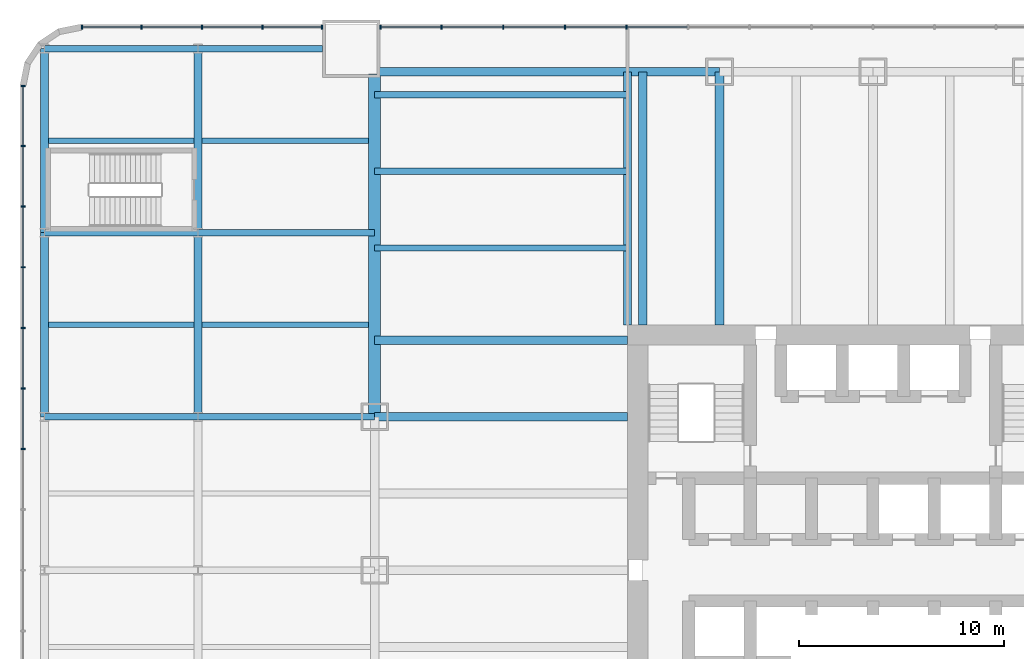
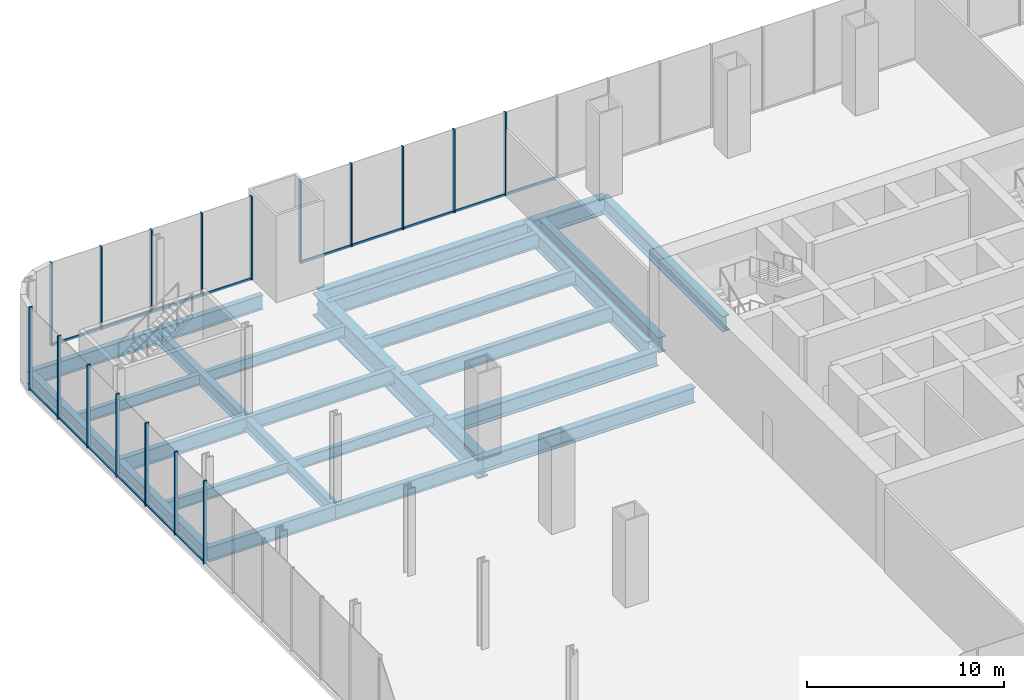
# One storey, part 6 of 16: 32 members, 24 beams, 3 elements without a shape of their own.
"""IFC4 building model written with IfcOpenShell, lengths in metres."""

from ifc_helpers import new_model, si_unit, direction, frame, origin, origin_2d, place, context, subcontext, project, spatial, rectangle, i_section, extrude, material, material_profile, profile_set, type_object, element, aggregate, save


model = new_model("IFC4")

# Units and contexts
model_context = context("Model", 3, precision=1e-05, world=origin(), true_north=direction((0.0, 1.0)))
body_context = subcontext(model_context, "Body", "Model", "MODEL_VIEW")
ifc_project = project(units=[si_unit("LENGTHUNIT", "METRE"), si_unit("AREAUNIT", "SQUARE_METRE"), si_unit("VOLUMEUNIT", "CUBIC_METRE"), si_unit("PLANEANGLEUNIT", "RADIAN"), si_unit("MASSUNIT", "GRAM", prefix="KILO")], contexts=[model_context])

# Site, building, storey
site_placement = place(None, origin())
site = spatial("IfcSite", under=ifc_project, at=site_placement, CompositionType="ELEMENT")
building_placement = place(site_placement, origin())
building = spatial("IfcBuilding", under=site, at=building_placement, Name="Tarangal Relay Tower", CompositionType="ELEMENT")
storey_placement = place(building_placement, frame((0.0, 0.0, 12.60009765625)))
storey = spatial("IfcBuildingStorey", under=building, at=storey_placement, Name="L02", CompositionType="ELEMENT", Elevation=12.60009765625)

# Beams
ifc_material_1 = material(Name="Steel ASTM A992", Category="steel")
ifc_material_profile_1 = material_profile(ifc_material_1, i_section(OverallWidth=0.307373046875, OverallDepth=0.927001953125, WebThickness=0.019287109375, FlangeThickness=0.031982421875, at=origin_2d()), Name="W36X194")
ifc_profile_set_1 = profile_set([ifc_material_profile_1], Name="Steel ASTM A992")
beam_type_1 = type_object("IfcBeamType", Name="Corner beam W36X194", PredefinedType="JOIST", material=ifc_profile_set_1)
for number, where, z_axis, x_axis, name in (
    (1, (-12.0, 15.75, -0.713623046875), (-1.0, 0.0, 0.0), (0.0, -1.0, 0.0), "Corner beam CB10 W L02"),
    (2, (-12.0, 19.5, -0.713623046875), (-1.0, 0.0, 0.0), (0.0, -1.0, 0.0), "Corner beam CB10 W L02"),
    (3, (-12.0, 23.25, -0.713623046875), (-1.0, 0.0, 0.0), (0.0, -1.0, 0.0), "Corner beam CB10 W L02"),
):
    element("IfcBeam", number, at=place(storey_placement, frame(where, z_axis=z_axis, x_axis=x_axis)), inside=storey, type_object=beam_type_1, Name=name, PredefinedType="JOIST", context=body_context, shape_type="SweptSolid", body=[
        extrude(i_section(OverallWidth=0.307373046875, OverallDepth=0.927001953125, WebThickness=0.019287109375, FlangeThickness=0.031982421875, at=origin_2d()), origin(), (0.0, 0.0, 1.0), 12.364990234375),
    ])
ifc_material_profile_2 = material_profile(ifc_material_1, i_section(OverallWidth=0.408935546875, OverallDepth=1.04150390625, WebThickness=0.031005859375, FlangeThickness=0.055908203125, at=origin_2d()), Name="W40X397")
ifc_profile_set_2 = profile_set([ifc_material_profile_2], Name="Steel ASTM A992")
beam_type_2 = type_object("IfcBeamType", Name="Corner girder W40X397", PredefinedType="BEAM", material=ifc_profile_set_2)
beam_1_placement = place(storey_placement, frame((-12.0, 12.0, -0.770751953125), z_axis=(0.0, 1.0, 0.0), x_axis=(-1.0, 0.0, 0.0)))
element("IfcBeam", 4, at=beam_1_placement, inside=storey, type_object=beam_type_2, Name="Corner girder CG1 W L02", PredefinedType="BEAM", context=body_context, shape_type="SweptSolid", body=[
    extrude(i_section(OverallWidth=0.408935546875, OverallDepth=1.04150390625, WebThickness=0.031005859375, FlangeThickness=0.055908203125, at=origin_2d()), origin(), (0.0, 0.0, 1.0), 12.364990234375),
])
ifc_material_profile_3 = material_profile(ifc_material_1, i_section(OverallWidth=0.41650390625, OverallDepth=1.0693359375, WebThickness=0.0390625, FlangeThickness=0.070068359375, at=origin_2d()), Name="W40X503")
ifc_profile_set_3 = profile_set([ifc_material_profile_3], Name="Steel ASTM A992")
beam_type_3 = type_object("IfcBeamType", Name="Edge girder W40X503", PredefinedType="SPANDREL", material=ifc_profile_set_3)
beam_2_placement = place(storey_placement, frame((-24.25, 24.364990234375, -0.78466796875), z_axis=(1.0, 0.0, 0.0), x_axis=(0.0, 1.0, 0.0)))
element("IfcBeam", 5, at=beam_2_placement, inside=storey, type_object=beam_type_3, Name="Edge girder EG8 N L02", PredefinedType="SPANDREL", context=body_context, shape_type="SweptSolid", body=[
    extrude(i_section(OverallWidth=0.41650390625, OverallDepth=1.0693359375, WebThickness=0.0390625, FlangeThickness=0.070068359375, at=origin_2d()), origin(), (0.0, 0.0, 1.0), 16.75),
])
ifc_material_profile_4 = material_profile(ifc_material_1, i_section(OverallWidth=0.42431640625, OverallDepth=0.947509765625, WebThickness=0.02392578125, FlangeThickness=0.042724609375, at=origin_2d()), Name="W36X302")
ifc_profile_set_4 = profile_set([ifc_material_profile_4], Name="Steel ASTM A992")
beam_type_4 = type_object("IfcBeamType", Name="Floor beam W36X302", PredefinedType="BEAM", material=ifc_profile_set_4)
for number, where, z_axis, x_axis, name in (
    (6, (-11.25, 12.0, -0.723876953125), (0.0, 1.0, 0.0), (-1.0, 0.0, 0.0), "Floor beam RB10 N L02"),
    (7, (-7.5, 12.0, -0.723876953125), (0.0, 1.0, 0.0), (-1.0, 0.0, 0.0), "Floor beam RB10 N L02"),
    (8, (-12.0, 7.5, -0.723876953125), (-1.0, 0.0, 0.0), (0.0, -1.0, 0.0), "Floor beam RB10 W L02"),
    (9, (-12.0, 11.25, -0.723876953125), (-1.0, 0.0, 0.0), (0.0, -1.0, 0.0), "Floor beam RB10 W L02"),
):
    element("IfcBeam", number, at=place(storey_placement, frame(where, z_axis=z_axis, x_axis=x_axis)), inside=storey, type_object=beam_type_4, Name=name, PredefinedType="BEAM", context=body_context, shape_type="SweptSolid", body=[
        extrude(i_section(OverallWidth=0.42431640625, OverallDepth=0.947509765625, WebThickness=0.02392578125, FlangeThickness=0.042724609375, at=origin_2d()), origin(), (0.0, 0.0, 1.0), 12.364990234375),
    ])

# Curtain wall, members
ifc_material_2 = material(Name="Unitised curtain wall, dark glass and black aluminium", Category="aluminium")
curtain_wall_type = type_object("IfcCurtainWallType", Name="Curtain wall CW-P", PredefinedType="USERDEFINED", material=ifc_material_2)
curtain_wall_1_placement = place(storey_placement, origin())
curtain_wall_1 = element("IfcCurtainWall", 10, at=curtain_wall_1_placement, inside=storey, type_object=curtain_wall_type, Name="Curtain wall CW-P Podium N facade L02", ObjectType="UNITISED CURTAIN WALL", PredefinedType="USERDEFINED")
ifc_material_3 = material(Name="Black anodised aluminium mullion", Category="aluminium")
ifc_material_profile_5 = material_profile(ifc_material_3, rectangle(XDim=0.199951171875, YDim=0.070068359375, at=origin_2d()), Name="CW-PM 70X200")
ifc_profile_set_5 = profile_set([ifc_material_profile_5], Name="Black anodised aluminium mullion")
member_type_1 = type_object("IfcMemberType", Name="Mullion CW-P 70 x 200", PredefinedType="MULLION", material=ifc_profile_set_5)
member_1_placement = place(storey_placement, frame((-12.050048828125, 26.550048828125, 0.0), z_axis=(0.0, 0.0, 1.0), x_axis=(0.0, -1.0, 0.0)))
member_1 = element("IfcMember", 11, at=member_1_placement, type_object=member_type_1, Name="CW-P mullion 13", PredefinedType="MULLION", context=body_context, shape_type="SweptSolid", body=[
    extrude(rectangle(XDim=0.199951171875, YDim=0.070068359375, at=origin_2d()), origin(), (0.0, 0.0, 1.0), 5.14990234375),
])
member_2_placement = place(storey_placement, frame((-15.0625, 26.550048828125, 0.0), z_axis=(0.0, 0.0, 1.0), x_axis=(0.0, -1.0, 0.0)))
member_2 = element("IfcMember", 12, at=member_2_placement, type_object=member_type_1, Name="CW-P mullion 14", PredefinedType="MULLION", context=body_context, shape_type="SweptSolid", body=[
    extrude(rectangle(XDim=0.199951171875, YDim=0.070068359375, at=origin_2d()), origin(), (0.0, 0.0, 1.0), 5.14990234375),
])
member_3_placement = place(storey_placement, frame((-18.074951171875, 26.550048828125, 0.0), z_axis=(0.0, 0.0, 1.0), x_axis=(0.0, -1.0, 0.0)))
member_3 = element("IfcMember", 13, at=member_3_placement, type_object=member_type_1, Name="CW-P mullion 15", PredefinedType="MULLION", context=body_context, shape_type="SweptSolid", body=[
    extrude(rectangle(XDim=0.199951171875, YDim=0.070068359375, at=origin_2d()), origin(), (0.0, 0.0, 1.0), 5.14990234375),
])
member_4_placement = place(storey_placement, frame((-21.08740234375, 26.550048828125, 0.0), z_axis=(0.0, 0.0, 1.0), x_axis=(0.0, -1.0, 0.0)))
member_4 = element("IfcMember", 14, at=member_4_placement, type_object=member_type_1, Name="CW-P mullion 16", PredefinedType="MULLION", context=body_context, shape_type="SweptSolid", body=[
    extrude(rectangle(XDim=0.199951171875, YDim=0.070068359375, at=origin_2d()), origin(), (0.0, 0.0, 1.0), 5.14990234375),
])
member_5_placement = place(storey_placement, frame((-24.06494140625, 26.550048828125, 0.0), z_axis=(0.0, 0.0, 1.0), x_axis=(0.0, -1.0, 0.0)))
member_5 = element("IfcMember", 15, at=member_5_placement, type_object=member_type_1, Name="CW-P mullion 17", PredefinedType="MULLION", context=body_context, shape_type="SweptSolid", body=[
    extrude(rectangle(XDim=0.199951171875, YDim=0.070068359375, at=origin_2d()), origin(), (0.0, 0.0, 1.0), 5.14990234375),
])

curtain_wall_2_placement = place(storey_placement, origin())
curtain_wall_2 = element("IfcCurtainWall", 16, at=curtain_wall_2_placement, inside=storey, type_object=curtain_wall_type, Name="Curtain wall CW-P Podium N facade L02", ObjectType="UNITISED CURTAIN WALL", PredefinedType="USERDEFINED")
member_6_placement = place(storey_placement, frame((-26.93505859375, 26.550048828125, 0.0), z_axis=(0.0, 0.0, 1.0), x_axis=(0.0, -1.0, 0.0)))
member_6 = element("IfcMember", 17, at=member_6_placement, type_object=member_type_1, Name="CW-P mullion 1", PredefinedType="MULLION", context=body_context, shape_type="SweptSolid", body=[
    extrude(rectangle(XDim=0.199951171875, YDim=0.070068359375, at=origin_2d()), origin(), (0.0, 0.0, 1.0), 5.14990234375),
])
member_7_placement = place(storey_placement, frame((-29.85009765625, 26.550048828125, 0.0), z_axis=(0.0, 0.0, 1.0), x_axis=(0.0, -1.0, 0.0)))
member_7 = element("IfcMember", 18, at=member_7_placement, type_object=member_type_1, Name="CW-P mullion 2", PredefinedType="MULLION", context=body_context, shape_type="SweptSolid", body=[
    extrude(rectangle(XDim=0.199951171875, YDim=0.070068359375, at=origin_2d()), origin(), (0.0, 0.0, 1.0), 5.14990234375),
])
member_8_placement = place(storey_placement, frame((-32.800048828125, 26.550048828125, 0.0), z_axis=(0.0, 0.0, 1.0), x_axis=(0.0, -1.0, 0.0)))
member_8 = element("IfcMember", 19, at=member_8_placement, type_object=member_type_1, Name="CW-P mullion 3", PredefinedType="MULLION", context=body_context, shape_type="SweptSolid", body=[
    extrude(rectangle(XDim=0.199951171875, YDim=0.070068359375, at=origin_2d()), origin(), (0.0, 0.0, 1.0), 5.14990234375),
])
member_9_placement = place(storey_placement, frame((-35.75, 26.550048828125, 0.0), z_axis=(0.0, 0.0, 1.0), x_axis=(0.0, -1.0, 0.0)))
member_9 = element("IfcMember", 20, at=member_9_placement, type_object=member_type_1, Name="CW-P mullion 4", PredefinedType="MULLION", context=body_context, shape_type="SweptSolid", body=[
    extrude(rectangle(XDim=0.199951171875, YDim=0.070068359375, at=origin_2d()), origin(), (0.0, 0.0, 1.0), 5.14990234375),
])
member_10_placement = place(storey_placement, frame((-38.6650390625, 26.550048828125, 0.0), z_axis=(0.0, 0.0, 1.0), x_axis=(0.0, -1.0, 0.0)))
member_10 = element("IfcMember", 21, at=member_10_placement, type_object=member_type_1, Name="CW-P mullion 5", PredefinedType="MULLION", context=body_context, shape_type="SweptSolid", body=[
    extrude(rectangle(XDim=0.199951171875, YDim=0.070068359375, at=origin_2d()), origin(), (0.0, 0.0, 1.0), 5.14990234375),
])

curtain_wall_3_placement = place(storey_placement, origin())
curtain_wall_3 = element("IfcCurtainWall", 22, at=curtain_wall_3_placement, inside=storey, type_object=curtain_wall_type, Name="Curtain wall CW-P Podium W facade L02", ObjectType="UNITISED CURTAIN WALL", PredefinedType="USERDEFINED")
member_11_placement = place(storey_placement, frame((-41.550048828125, 23.6650390625, 0.0), z_axis=(0.0, 0.0, 1.0), x_axis=(1.0, 0.0, 0.0)))
member_11 = element("IfcMember", 23, at=member_11_placement, type_object=member_type_1, Name="CW-P mullion 1", PredefinedType="MULLION", context=body_context, shape_type="SweptSolid", body=[
    extrude(rectangle(XDim=0.199951171875, YDim=0.070068359375, at=origin_2d()), origin(), (0.0, 0.0, 1.0), 5.14990234375),
])
member_12_placement = place(storey_placement, frame((-41.550048828125, 20.737548828125, 0.0), z_axis=(0.0, 0.0, 1.0), x_axis=(1.0, 0.0, 0.0)))
member_12 = element("IfcMember", 24, at=member_12_placement, type_object=member_type_1, Name="CW-P mullion 2", PredefinedType="MULLION", context=body_context, shape_type="SweptSolid", body=[
    extrude(rectangle(XDim=0.199951171875, YDim=0.070068359375, at=origin_2d()), origin(), (0.0, 0.0, 1.0), 5.14990234375),
])
member_13_placement = place(storey_placement, frame((-41.550048828125, 17.77490234375, 0.0), z_axis=(0.0, 0.0, 1.0), x_axis=(1.0, 0.0, 0.0)))
member_13 = element("IfcMember", 25, at=member_13_placement, type_object=member_type_1, Name="CW-P mullion 3", PredefinedType="MULLION", context=body_context, shape_type="SweptSolid", body=[
    extrude(rectangle(XDim=0.199951171875, YDim=0.070068359375, at=origin_2d()), origin(), (0.0, 0.0, 1.0), 5.14990234375),
])
member_14_placement = place(storey_placement, frame((-41.550048828125, 14.8125, 0.0), z_axis=(0.0, 0.0, 1.0), x_axis=(1.0, 0.0, 0.0)))
member_14 = element("IfcMember", 26, at=member_14_placement, type_object=member_type_1, Name="CW-P mullion 4", PredefinedType="MULLION", context=body_context, shape_type="SweptSolid", body=[
    extrude(rectangle(XDim=0.199951171875, YDim=0.070068359375, at=origin_2d()), origin(), (0.0, 0.0, 1.0), 5.14990234375),
])
member_15_placement = place(storey_placement, frame((-41.550048828125, 11.85009765625, 0.0), z_axis=(0.0, 0.0, 1.0), x_axis=(1.0, 0.0, 0.0)))
member_15 = element("IfcMember", 27, at=member_15_placement, type_object=member_type_1, Name="CW-P mullion 5", PredefinedType="MULLION", context=body_context, shape_type="SweptSolid", body=[
    extrude(rectangle(XDim=0.199951171875, YDim=0.070068359375, at=origin_2d()), origin(), (0.0, 0.0, 1.0), 5.14990234375),
])
member_16_placement = place(storey_placement, frame((-41.550048828125, 8.887451171875, 0.0), z_axis=(0.0, 0.0, 1.0), x_axis=(1.0, 0.0, 0.0)))
member_16 = element("IfcMember", 28, at=member_16_placement, type_object=member_type_1, Name="CW-P mullion 6", PredefinedType="MULLION", context=body_context, shape_type="SweptSolid", body=[
    extrude(rectangle(XDim=0.199951171875, YDim=0.070068359375, at=origin_2d()), origin(), (0.0, 0.0, 1.0), 5.14990234375),
])
member_17_placement = place(storey_placement, frame((-41.550048828125, 5.925048828125, 0.0), z_axis=(0.0, 0.0, 1.0), x_axis=(1.0, 0.0, 0.0)))
member_17 = element("IfcMember", 29, at=member_17_placement, type_object=member_type_1, Name="CW-P mullion 7", PredefinedType="MULLION", context=body_context, shape_type="SweptSolid", body=[
    extrude(rectangle(XDim=0.199951171875, YDim=0.070068359375, at=origin_2d()), origin(), (0.0, 0.0, 1.0), 5.14990234375),
])

# Beams
ifc_material_profile_6 = material_profile(ifc_material_1, i_section(OverallWidth=0.3046875, OverallDepth=0.911865234375, WebThickness=0.015869140625, FlangeThickness=0.02392578125, at=origin_2d()), Name="W36X150")
ifc_profile_set_6 = profile_set([ifc_material_profile_6], Name="Steel ASTM A992")
beam_type_5 = type_object("IfcBeamType", Name="Podium beam W36X150", PredefinedType="BEAM", material=ifc_profile_set_6)
beam_3_placement = place(storey_placement, frame((-24.364990234375, 7.5, -0.7060546875), z_axis=(-1.0, 0.0, 0.0), x_axis=(0.0, -1.0, 0.0)))
element("IfcBeam", 30, at=beam_3_placement, inside=storey, type_object=beam_type_5, Name="Podium beam PB1 L02", PredefinedType="BEAM", context=body_context, shape_type="SweptSolid", body=[
    extrude(i_section(OverallWidth=0.3046875, OverallDepth=0.911865234375, WebThickness=0.015869140625, FlangeThickness=0.02392578125, at=origin_2d()), origin(), (0.0, 0.0, 1.0), 8.635009765625),
])
beam_4_placement = place(storey_placement, frame((-33.0, 7.5, -0.7060546875), z_axis=(-1.0, 0.0, 0.0), x_axis=(0.0, -1.0, 0.0)))
element("IfcBeam", 31, at=beam_4_placement, inside=storey, type_object=beam_type_5, Name="Podium beam PB1 L02", PredefinedType="BEAM", context=body_context, shape_type="SweptSolid", body=[
    extrude(i_section(OverallWidth=0.3046875, OverallDepth=0.911865234375, WebThickness=0.015869140625, FlangeThickness=0.02392578125, at=origin_2d()), origin(), (0.0, 0.0, 1.0), 7.5),
])
beam_5_placement = place(storey_placement, frame((-24.364990234375, 16.5, -0.7060546875), z_axis=(-1.0, 0.0, 0.0), x_axis=(0.0, -1.0, 0.0)))
element("IfcBeam", 32, at=beam_5_placement, inside=storey, type_object=beam_type_5, Name="Podium beam PB1 L02", PredefinedType="BEAM", context=body_context, shape_type="SweptSolid", body=[
    extrude(i_section(OverallWidth=0.3046875, OverallDepth=0.911865234375, WebThickness=0.015869140625, FlangeThickness=0.02392578125, at=origin_2d()), origin(), (0.0, 0.0, 1.0), 8.635009765625),
])
beam_6_placement = place(storey_placement, frame((-33.0, 16.5, -0.7060546875), z_axis=(-1.0, 0.0, 0.0), x_axis=(0.0, -1.0, 0.0)))
element("IfcBeam", 33, at=beam_6_placement, inside=storey, type_object=beam_type_5, Name="Podium beam PB1 L02", PredefinedType="BEAM", context=body_context, shape_type="SweptSolid", body=[
    extrude(i_section(OverallWidth=0.3046875, OverallDepth=0.911865234375, WebThickness=0.015869140625, FlangeThickness=0.02392578125, at=origin_2d()), origin(), (0.0, 0.0, 1.0), 7.5),
])
beam_7_placement = place(storey_placement, frame((-26.89990234375, 25.5, -0.7060546875), z_axis=(-1.0, 0.0, 0.0), x_axis=(0.0, -1.0, 0.0)))
element("IfcBeam", 34, at=beam_7_placement, inside=storey, type_object=beam_type_5, Name="Podium beam PB1 L02", PredefinedType="BEAM", context=body_context, shape_type="SweptSolid", body=[
    extrude(i_section(OverallWidth=0.3046875, OverallDepth=0.911865234375, WebThickness=0.015869140625, FlangeThickness=0.02392578125, at=origin_2d()), origin(), (0.0, 0.0, 1.0), 6.10009765625),
])
beam_8_placement = place(storey_placement, frame((-33.0, 25.5, -0.7060546875), z_axis=(-1.0, 0.0, 0.0), x_axis=(0.0, -1.0, 0.0)))
element("IfcBeam", 35, at=beam_8_placement, inside=storey, type_object=beam_type_5, Name="Podium beam PB1 L02", PredefinedType="BEAM", context=body_context, shape_type="SweptSolid", body=[
    extrude(i_section(OverallWidth=0.3046875, OverallDepth=0.911865234375, WebThickness=0.015869140625, FlangeThickness=0.02392578125, at=origin_2d()), origin(), (0.0, 0.0, 1.0), 7.5),
])
ifc_material_profile_7 = material_profile(ifc_material_1, i_section(OverallWidth=0.383544921875, OverallDepth=0.784912109375, WebThickness=0.019775390625, FlangeThickness=0.033447265625, at=origin_2d()), Name="W30X211")
ifc_profile_set_7 = profile_set([ifc_material_profile_7], Name="Steel ASTM A992")
beam_type_6 = type_object("IfcBeamType", Name="Podium girder W30X211", PredefinedType="BEAM", material=ifc_profile_set_7)
for number, where, z_axis, x_axis, name in (
    (36, (-33.0, 7.5, -0.642578125), (0.0, 1.0, 0.0), (-1.0, 0.0, 0.0), "Podium girder PG1 L02"),
    (37, (-33.0, 16.5, -0.642578125), (0.0, 1.0, 0.0), (-1.0, 0.0, 0.0), "Podium girder PG1 L02"),
    (38, (-40.5, 7.5, -0.642578125), (0.0, 1.0, 0.0), (-1.0, 0.0, 0.0), "Podium girder PG1 L02"),
    (39, (-40.5, 16.5, -0.642578125), (0.0, 1.0, 0.0), (-1.0, 0.0, 0.0), "Podium girder PG1 L02"),
):
    element("IfcBeam", number, at=place(storey_placement, frame(where, z_axis=z_axis, x_axis=x_axis)), inside=storey, type_object=beam_type_6, Name=name, PredefinedType="BEAM", context=body_context, shape_type="SweptSolid", body=[
        extrude(i_section(OverallWidth=0.383544921875, OverallDepth=0.784912109375, WebThickness=0.019775390625, FlangeThickness=0.033447265625, at=origin_2d()), origin(), (0.0, 0.0, 1.0), 9.0),
    ])
ifc_material_profile_8 = material_profile(ifc_material_1, i_section(OverallWidth=0.25390625, OverallDepth=0.683349609375, WebThickness=0.012451171875, FlangeThickness=0.018798828125, at=origin_2d()), Name="W27X94")
ifc_profile_set_8 = profile_set([ifc_material_profile_8], Name="Steel ASTM A992")
beam_type_7 = type_object("IfcBeamType", Name="Podium joist W27X94", PredefinedType="JOIST", material=ifc_profile_set_8)
beam_9_placement = place(storey_placement, frame((-24.6650390625, 12.0, -0.591796875), z_axis=(-1.0, 0.0, 0.0), x_axis=(0.0, -1.0, 0.0)))
element("IfcBeam", 40, at=beam_9_placement, inside=storey, type_object=beam_type_7, Name="Podium joist PJ1 L02", PredefinedType="JOIST", context=body_context, shape_type="SweptSolid", body=[
    extrude(i_section(OverallWidth=0.25390625, OverallDepth=0.683349609375, WebThickness=0.012451171875, FlangeThickness=0.018798828125, at=origin_2d()), origin(), (0.0, 0.0, 1.0), 8.14404296875),
])
beam_10_placement = place(storey_placement, frame((-33.19091796875, 12.0, -0.591796875), z_axis=(-1.0, 0.0, 0.0), x_axis=(0.0, -1.0, 0.0)))
element("IfcBeam", 41, at=beam_10_placement, inside=storey, type_object=beam_type_7, Name="Podium joist PJ1 L02", PredefinedType="JOIST", context=body_context, shape_type="SweptSolid", body=[
    extrude(i_section(OverallWidth=0.25390625, OverallDepth=0.683349609375, WebThickness=0.012451171875, FlangeThickness=0.018798828125, at=origin_2d()), origin(), (0.0, 0.0, 1.0), 7.1181640625),
])
beam_11_placement = place(storey_placement, frame((-24.6650390625, 21.0, -0.591796875), z_axis=(-1.0, 0.0, 0.0), x_axis=(0.0, -1.0, 0.0)))
element("IfcBeam", 42, at=beam_11_placement, inside=storey, type_object=beam_type_7, Name="Podium joist PJ1 L02", PredefinedType="JOIST", context=body_context, shape_type="SweptSolid", body=[
    extrude(i_section(OverallWidth=0.25390625, OverallDepth=0.683349609375, WebThickness=0.012451171875, FlangeThickness=0.018798828125, at=origin_2d()), origin(), (0.0, 0.0, 1.0), 8.14404296875),
])
beam_12_placement = place(storey_placement, frame((-33.19091796875, 21.0, -0.591796875), z_axis=(-1.0, 0.0, 0.0), x_axis=(0.0, -1.0, 0.0)))
element("IfcBeam", 43, at=beam_12_placement, inside=storey, type_object=beam_type_7, Name="Podium joist PJ1 L02", PredefinedType="JOIST", context=body_context, shape_type="SweptSolid", body=[
    extrude(i_section(OverallWidth=0.25390625, OverallDepth=0.683349609375, WebThickness=0.012451171875, FlangeThickness=0.018798828125, at=origin_2d()), origin(), (0.0, 0.0, 1.0), 7.1181640625),
])
ifc_material_4 = material(Name="Steel ASTM A572 Grade 50", Category="steel")
ifc_material_profile_9 = material_profile(ifc_material_4, i_section(OverallWidth=0.60009765625, OverallDepth=1.39990234375, WebThickness=0.030029296875, FlangeThickness=0.080078125, at=origin_2d()), Name="PG1400X600X80X30")
ifc_profile_set_9 = profile_set([ifc_material_profile_9], Name="Steel ASTM A572 Grade 50")
beam_type_8 = type_object("IfcBeamType", Name="Transfer girder PG1400X600X80X30", PredefinedType="SPANDREL", material=ifc_profile_set_9)
beam_13_placement = place(storey_placement, frame((-24.364990234375, 7.5, -0.9501953125), z_axis=(0.0, 1.0, 0.0), x_axis=(-1.0, 0.0, 0.0)))
element("IfcBeam", 44, at=beam_13_placement, inside=storey, type_object=beam_type_8, Name="Transfer girder TG1 W L02", PredefinedType="SPANDREL", context=body_context, shape_type="SweptSolid", body=[
    extrude(i_section(OverallWidth=0.60009765625, OverallDepth=1.39990234375, WebThickness=0.030029296875, FlangeThickness=0.080078125, at=origin_2d()), origin(), (0.0, 0.0, 1.0), 16.75),
])

# Member
ifc_material_5 = material(Name="Black anodised aluminium transom", Category="aluminium")
ifc_material_profile_10 = material_profile(ifc_material_5, rectangle(XDim=0.070068359375, YDim=0.159912109375, at=origin_2d()), Name="CW-PT 70X160")
ifc_profile_set_10 = profile_set([ifc_material_profile_10], Name="Black anodised aluminium transom")
member_type_2 = type_object("IfcMemberType", Name="Transom CW-P 70 x 160", PredefinedType="USERDEFINED", material=ifc_profile_set_10)
member_18_placement = place(storey_placement, frame((-9.072509765625, 26.550048828125, 0.034912109375), z_axis=(-1.0, 0.0, 0.0), x_axis=(0.0, -1.0, 0.0)))
member_18 = element("IfcMember", 45, at=member_18_placement, type_object=member_type_2, Name="CW-P transom 12.1", ObjectType="TRANSOM", PredefinedType="USERDEFINED", context=body_context, shape_type="SweptSolid", body=[
    extrude(rectangle(XDim=0.070068359375, YDim=0.159912109375, at=origin_2d()), origin(), (0.0, 0.0, 1.0), 2.9423828125),
])

member_19_placement = place(storey_placement, frame((-12.0849609375, 26.550048828125, 0.034912109375), z_axis=(-1.0, 0.0, 0.0), x_axis=(0.0, -1.0, 0.0)))
member_19 = element("IfcMember", 46, at=member_19_placement, type_object=member_type_2, Name="CW-P transom 13.1", ObjectType="TRANSOM", PredefinedType="USERDEFINED", context=body_context, shape_type="SweptSolid", body=[
    extrude(rectangle(XDim=0.070068359375, YDim=0.159912109375, at=origin_2d()), origin(), (0.0, 0.0, 1.0), 2.942626953125),
])

member_20_placement = place(storey_placement, frame((-15.097412109375, 26.550048828125, 0.034912109375), z_axis=(-1.0, 0.0, 0.0), x_axis=(0.0, -1.0, 0.0)))
member_20 = element("IfcMember", 47, at=member_20_placement, type_object=member_type_2, Name="CW-P transom 14.1", ObjectType="TRANSOM", PredefinedType="USERDEFINED", context=body_context, shape_type="SweptSolid", body=[
    extrude(rectangle(XDim=0.070068359375, YDim=0.159912109375, at=origin_2d()), origin(), (0.0, 0.0, 1.0), 2.942626953125),
])

member_21_placement = place(storey_placement, frame((-18.110107421875, 26.550048828125, 0.034912109375), z_axis=(-1.0, 0.0, 0.0), x_axis=(0.0, -1.0, 0.0)))
member_21 = element("IfcMember", 48, at=member_21_placement, type_object=member_type_2, Name="CW-P transom 15.1", ObjectType="TRANSOM", PredefinedType="USERDEFINED", context=body_context, shape_type="SweptSolid", body=[
    extrude(rectangle(XDim=0.070068359375, YDim=0.159912109375, at=origin_2d()), origin(), (0.0, 0.0, 1.0), 2.9423828125),
])

member_22_placement = place(storey_placement, frame((-21.12255859375, 26.550048828125, 0.034912109375), z_axis=(-1.0, 0.0, 0.0), x_axis=(0.0, -1.0, 0.0)))
member_22 = element("IfcMember", 49, at=member_22_placement, type_object=member_type_2, Name="CW-P transom 16.1", ObjectType="TRANSOM", PredefinedType="USERDEFINED", context=body_context, shape_type="SweptSolid", body=[
    extrude(rectangle(XDim=0.070068359375, YDim=0.159912109375, at=origin_2d()), origin(), (0.0, 0.0, 1.0), 2.907470703125),
])

aggregate(curtain_wall_1, [member_1, member_2, member_3, member_4, member_5, member_18, member_19, member_20, member_21, member_22])

member_23_placement = place(storey_placement, frame((-26.969970703125, 26.550048828125, 0.034912109375), z_axis=(-1.0, 0.0, 0.0), x_axis=(0.0, -1.0, 0.0)))
member_23 = element("IfcMember", 50, at=member_23_placement, type_object=member_type_2, Name="CW-P transom 1.1", ObjectType="TRANSOM", PredefinedType="USERDEFINED", context=body_context, shape_type="SweptSolid", body=[
    extrude(rectangle(XDim=0.070068359375, YDim=0.159912109375, at=origin_2d()), origin(), (0.0, 0.0, 1.0), 2.844970703125),
])

member_24_placement = place(storey_placement, frame((-29.885009765625, 26.550048828125, 0.034912109375), z_axis=(-1.0, 0.0, 0.0), x_axis=(0.0, -1.0, 0.0)))
member_24 = element("IfcMember", 51, at=member_24_placement, type_object=member_type_2, Name="CW-P transom 2.1", ObjectType="TRANSOM", PredefinedType="USERDEFINED", context=body_context, shape_type="SweptSolid", body=[
    extrude(rectangle(XDim=0.070068359375, YDim=0.159912109375, at=origin_2d()), origin(), (0.0, 0.0, 1.0), 2.8798828125),
])

member_25_placement = place(storey_placement, frame((-32.8349609375, 26.550048828125, 0.034912109375), z_axis=(-1.0, 0.0, 0.0), x_axis=(0.0, -1.0, 0.0)))
member_25 = element("IfcMember", 52, at=member_25_placement, type_object=member_type_2, Name="CW-P transom 3.1", ObjectType="TRANSOM", PredefinedType="USERDEFINED", context=body_context, shape_type="SweptSolid", body=[
    extrude(rectangle(XDim=0.070068359375, YDim=0.159912109375, at=origin_2d()), origin(), (0.0, 0.0, 1.0), 2.880126953125),
])

member_26_placement = place(storey_placement, frame((-35.784912109375, 26.550048828125, 0.034912109375), z_axis=(-1.0, 0.0, 0.0), x_axis=(0.0, -1.0, 0.0)))
member_26 = element("IfcMember", 53, at=member_26_placement, type_object=member_type_2, Name="CW-P transom 4.1", ObjectType="TRANSOM", PredefinedType="USERDEFINED", context=body_context, shape_type="SweptSolid", body=[
    extrude(rectangle(XDim=0.070068359375, YDim=0.159912109375, at=origin_2d()), origin(), (0.0, 0.0, 1.0), 2.844970703125),
])

aggregate(curtain_wall_2, [member_6, member_7, member_8, member_9, member_10, member_23, member_24, member_25, member_26])

member_27_placement = place(storey_placement, frame((-41.550048828125, 23.6298828125, 0.034912109375), z_axis=(0.0, -1.0, 0.0), x_axis=(1.0, 0.0, 0.0)))
member_27 = element("IfcMember", 54, at=member_27_placement, type_object=member_type_2, Name="CW-P transom 1.1", ObjectType="TRANSOM", PredefinedType="USERDEFINED", context=body_context, shape_type="SweptSolid", body=[
    extrude(rectangle(XDim=0.070068359375, YDim=0.159912109375, at=origin_2d()), origin(), (0.0, 0.0, 1.0), 2.857421875),
])

member_28_placement = place(storey_placement, frame((-41.550048828125, 20.702392578125, 0.034912109375), z_axis=(0.0, -1.0, 0.0), x_axis=(1.0, 0.0, 0.0)))
member_28 = element("IfcMember", 55, at=member_28_placement, type_object=member_type_2, Name="CW-P transom 2.1", ObjectType="TRANSOM", PredefinedType="USERDEFINED", context=body_context, shape_type="SweptSolid", body=[
    extrude(rectangle(XDim=0.070068359375, YDim=0.159912109375, at=origin_2d()), origin(), (0.0, 0.0, 1.0), 2.892333984375),
])

member_29_placement = place(storey_placement, frame((-41.550048828125, 17.739990234375, 0.034912109375), z_axis=(0.0, -1.0, 0.0), x_axis=(1.0, 0.0, 0.0)))
member_29 = element("IfcMember", 56, at=member_29_placement, type_object=member_type_2, Name="CW-P transom 3.1", ObjectType="TRANSOM", PredefinedType="USERDEFINED", context=body_context, shape_type="SweptSolid", body=[
    extrude(rectangle(XDim=0.070068359375, YDim=0.159912109375, at=origin_2d()), origin(), (0.0, 0.0, 1.0), 2.892578125),
])

member_30_placement = place(storey_placement, frame((-41.550048828125, 14.777587890625, 0.034912109375), z_axis=(0.0, -1.0, 0.0), x_axis=(1.0, 0.0, 0.0)))
member_30 = element("IfcMember", 57, at=member_30_placement, type_object=member_type_2, Name="CW-P transom 4.1", ObjectType="TRANSOM", PredefinedType="USERDEFINED", context=body_context, shape_type="SweptSolid", body=[
    extrude(rectangle(XDim=0.070068359375, YDim=0.159912109375, at=origin_2d()), origin(), (0.0, 0.0, 1.0), 2.892578125),
])

member_31_placement = place(storey_placement, frame((-41.550048828125, 11.81494140625, 0.034912109375), z_axis=(0.0, -1.0, 0.0), x_axis=(1.0, 0.0, 0.0)))
member_31 = element("IfcMember", 58, at=member_31_placement, type_object=member_type_2, Name="CW-P transom 5.1", ObjectType="TRANSOM", PredefinedType="USERDEFINED", context=body_context, shape_type="SweptSolid", body=[
    extrude(rectangle(XDim=0.070068359375, YDim=0.159912109375, at=origin_2d()), origin(), (0.0, 0.0, 1.0), 2.892333984375),
])

member_32_placement = place(storey_placement, frame((-41.550048828125, 8.8525390625, 0.034912109375), z_axis=(0.0, -1.0, 0.0), x_axis=(1.0, 0.0, 0.0)))
member_32 = element("IfcMember", 59, at=member_32_placement, type_object=member_type_2, Name="CW-P transom 6.1", ObjectType="TRANSOM", PredefinedType="USERDEFINED", context=body_context, shape_type="SweptSolid", body=[
    extrude(rectangle(XDim=0.070068359375, YDim=0.159912109375, at=origin_2d()), origin(), (0.0, 0.0, 1.0), 2.892578125),
])

aggregate(curtain_wall_3, [member_11, member_12, member_13, member_14, member_15, member_16, member_17, member_27, member_28, member_29, member_30, member_31, member_32])

save(model, "model.ifc")
